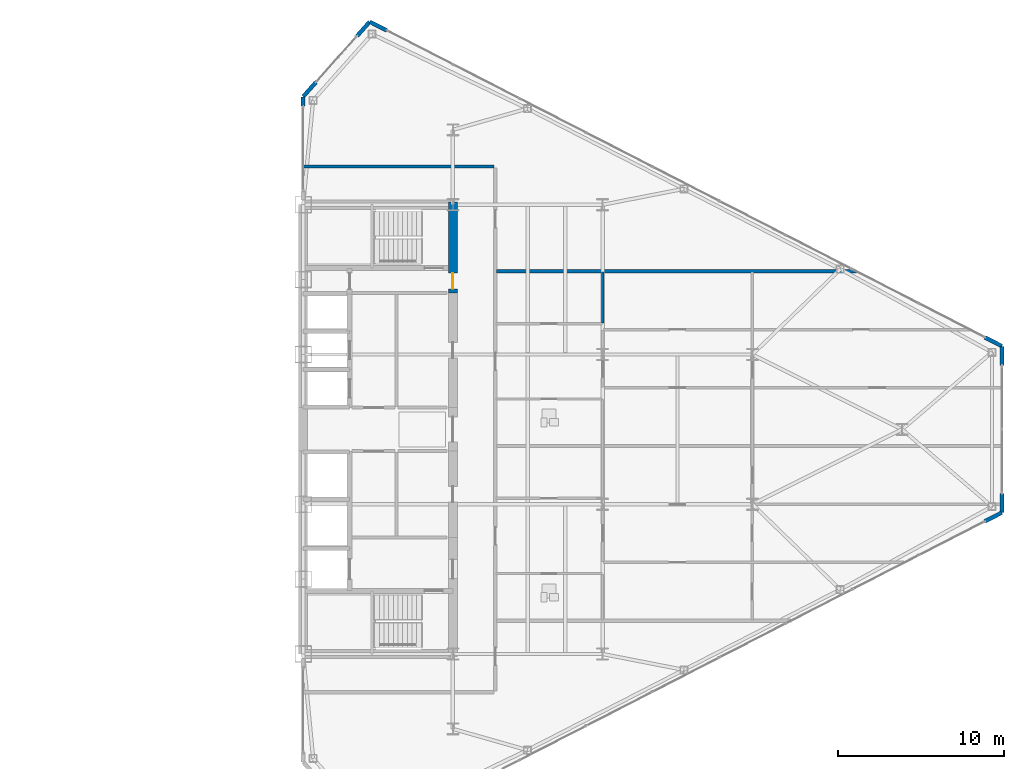
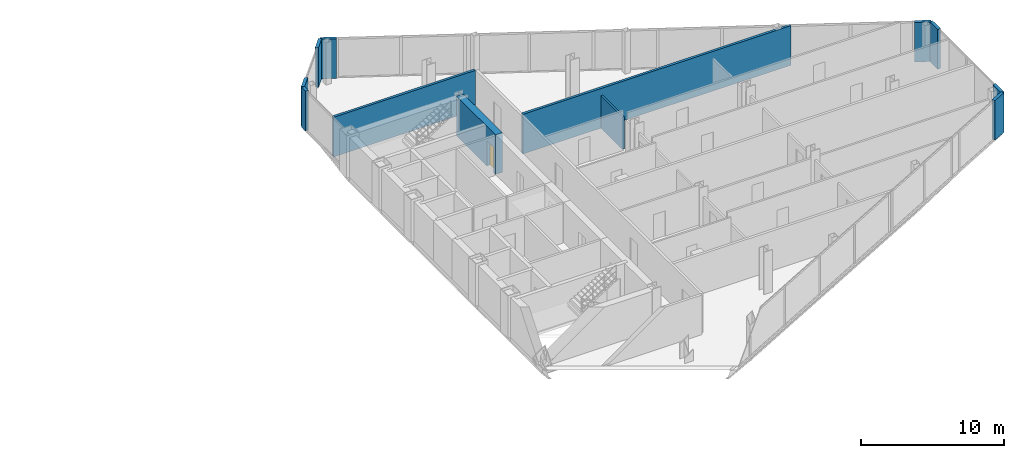
# One storey, part 21 of 24: 12 walls, 1 door, 1 opening.
"""IFC4 building model written with IfcOpenShell, lengths in metres."""

import ifcopenshell
import ifcopenshell.guid

model = None  # the IFC model being written
_history = None  # IfcOwnerHistory: only IFC2X3 demands one
_inside = {}  # id of a spatial element -> (the spatial element, [elements in it])
_under = {}  # id of a project, library or spatial element -> (it, [spatial elements below it])
_declared = {}  # id of a project -> (the project, [libraries it declares])
_typed = {}  # id of a type object -> (the type object, [elements of that type])
_made_of = {}  # id of a material, layer set ... -> (it, [elements and type objects made of it])


def new_model(schema):
    """Start an empty IFC model of exactly this schema.

    Asked for "IFC4X3", IfcOpenShell would pick the latest addendum, in which some entities
    have other attributes; the version numbers below select the first issue.
    IFC2X3 requires an IfcOwnerHistory on every rooted entity: one is made here for all.
    """
    global model, _history
    if schema == "IFC4X3":
        model = ifcopenshell.file(schema_version=(4, 3, 0, 0))
    else:
        model = ifcopenshell.file(schema=schema)
    _inside.clear()
    _under.clear()
    _declared.clear()
    _typed.clear()
    _made_of.clear()
    _history = None
    if model.schema == "IFC2X3":
        org = make("IfcOrganization", Name="unknown")
        user = make(
            "IfcPersonAndOrganization",
            ThePerson=make("IfcPerson", FamilyName="unknown"),
            TheOrganization=org,
        )
        app = make(
            "IfcApplication",
            ApplicationDeveloper=org,
            Version="unknown",
            ApplicationFullName="unknown",
            ApplicationIdentifier="unknown",
        )
        _history = make(
            "IfcOwnerHistory",
            OwningUser=user,
            OwningApplication=app,
            ChangeAction="ADDED",
            CreationDate=0,
        )
    return model


def make(cls, **values):
    """One entity of the class cls with the attributes given. An attribute that is None is left unset."""
    return model.create_entity(
        cls, **{name: value for name, value in values.items() if value is not None}
    )


def rooted(cls, **values):
    """An entity with a GlobalId (a new one), such as an element, a storey or a relation."""
    return make(cls, GlobalId=ifcopenshell.guid.new(), OwnerHistory=_history, **values)


def si_unit(unit_type, name, prefix=None):
    """IfcSIUnit, for example si_unit("LENGTHUNIT", "METRE", prefix="MILLI")."""
    return make("IfcSIUnit", UnitType=unit_type, Prefix=prefix, Name=name)


def assignment(units):
    """IfcUnitAssignment: the units of a project."""
    return None if units is None else make("IfcUnitAssignment", Units=units)


def point(xyz):
    """IfcCartesianPoint."""
    return None if xyz is None else make("IfcCartesianPoint", Coordinates=xyz)


def direction(xyz):
    """IfcDirection."""
    return None if xyz is None else make("IfcDirection", DirectionRatios=xyz)


def frame(location, z_axis=None, x_axis=None):
    """IfcAxis2Placement3D, a coordinate frame: its origin and axes. An axis left out is left unset."""
    return make(
        "IfcAxis2Placement3D",
        Location=point(location),
        Axis=direction(z_axis),
        RefDirection=direction(x_axis),
    )


def frame_2d(location, x_axis=None):
    """IfcAxis2Placement2D, a coordinate frame in the plane: its origin and x axis."""
    return make(
        "IfcAxis2Placement2D", Location=point(location), RefDirection=direction(x_axis)
    )


def origin():
    """The frame at (0, 0, 0) with its axes left unset."""
    return frame((0.0, 0.0, 0.0))


def place(relative_to, where):
    """IfcLocalPlacement: puts the frame where relative to a parent placement (None: the world)."""
    return make(
        "IfcLocalPlacement", PlacementRelTo=relative_to, RelativePlacement=where
    )


def context(
    kind, dimensions, precision=None, world=None, true_north=None, identifier=None
):
    """IfcGeometricRepresentationContext, for example the 3D "Model" context."""
    return make(
        "IfcGeometricRepresentationContext",
        ContextIdentifier=identifier,
        ContextType=kind,
        CoordinateSpaceDimension=dimensions,
        Precision=precision,
        WorldCoordinateSystem=world,
        TrueNorth=true_north,
    )


def subcontext(parent, identifier, kind, view, scale=None):
    """IfcGeometricRepresentationSubContext, for example "Body" below "Model"."""
    return make(
        "IfcGeometricRepresentationSubContext",
        ContextIdentifier=identifier,
        ContextType=kind,
        ParentContext=parent,
        TargetScale=scale,
        TargetView=view,
    )


def project(units=None, contexts=None):
    """IfcProject with its units and contexts."""
    return rooted(
        "IfcProject",
        Name="project",
        RepresentationContexts=contexts,
        UnitsInContext=assignment(units),
    )


def spatial(cls, under=None, at=None, **own):
    """A site, building, storey or space (cls), placed at a placement, below another one or the project."""
    s = rooted(cls, ObjectPlacement=at, **own)
    if under is not None:
        _under.setdefault(under.id(), (under, []))[1].append(s)
    return s


def profile(cls, at=None, kind="AREA", **sizes):
    """A parametric profile (cls). Its sizes go by their IFC names, for example OverallWidth=200.0."""
    return make(cls, ProfileType=kind, Position=at, **sizes)


def rectangle(**sizes):
    """IfcRectangleProfileDef."""
    return profile("IfcRectangleProfileDef", **sizes)


def extrude(swept, where, along, depth):
    """IfcExtrudedAreaSolid: the profile swept, set in the frame where, extruded along a direction by depth."""
    return make(
        "IfcExtrudedAreaSolid",
        SweptArea=swept,
        Position=where,
        ExtrudedDirection=direction(along),
        Depth=depth,
    )


def shape(context_of_items, identifier, shape_type, items):
    """IfcShapeRepresentation: the items that make up one representation, for example the "Body"."""
    return make(
        "IfcShapeRepresentation",
        ContextOfItems=context_of_items,
        RepresentationIdentifier=identifier,
        RepresentationType=shape_type,
        Items=items,
    )


def source(mapping_origin, context_of_items, identifier, shape_type, items):
    """IfcRepresentationMap: a shape defined once, which mapped items show again and again."""
    return make(
        "IfcRepresentationMap",
        MappingOrigin=mapping_origin,
        MappedRepresentation=shape(context_of_items, identifier, shape_type, items),
    )


def transform(
    local_origin,
    x_axis=None,
    y_axis=None,
    z_axis=None,
    scale=None,
    scale2=None,
    scale3=None,
    uniform=True,
):
    """IfcCartesianTransformationOperator3D, or its non-uniform kind. x_axis, y_axis, z_axis: its Axis1, 2, 3."""
    if uniform:
        return make(
            "IfcCartesianTransformationOperator3D",
            Axis1=direction(x_axis),
            Axis2=direction(y_axis),
            LocalOrigin=point(local_origin),
            Scale=scale,
            Axis3=direction(z_axis),
        )
    return make(
        "IfcCartesianTransformationOperator3DnonUniform",
        Axis1=direction(x_axis),
        Axis2=direction(y_axis),
        LocalOrigin=point(local_origin),
        Scale=scale,
        Axis3=direction(z_axis),
        Scale2=scale2,
        Scale3=scale3,
    )


def mapped(mapping_source, mapping_target):
    """IfcMappedItem: shows the shape of a source again, moved by a transform."""
    return make(
        "IfcMappedItem", MappingSource=mapping_source, MappingTarget=mapping_target
    )


def material(Name=None, Category=None):
    """IfcMaterial."""
    return make("IfcMaterial", Name=Name, Category=Category)


def layer(
    of_material, thickness, ventilated=None, Name=None, Category=None, Priority=None
):
    """IfcMaterialLayer: one layer of a wall or slab, of a material (None: an air gap)."""
    return make(
        "IfcMaterialLayer",
        Material=of_material,
        LayerThickness=thickness,
        IsVentilated=ventilated,
        Name=Name,
        Category=Category,
        Priority=Priority,
    )


def layer_set(layers, Name=None):
    """IfcMaterialLayerSet."""
    return make("IfcMaterialLayerSet", MaterialLayers=layers, LayerSetName=Name)


def made_of(thing, what):
    """Note that an element or type object is made of a material, layer set ...; save() writes the relation."""
    if what is not None:
        _made_of.setdefault(what.id(), (what, []))[1].append(thing)
    return thing


def type_object(cls, material=None, **own):
    """A type object (cls), such as IfcWallType, which elements share."""
    return made_of(rooted(cls, **own), material)


def type_shapes(of_type, sources):
    """Give a type object the sources (RepresentationMaps) that its elements show as mapped items."""
    of_type.RepresentationMaps = sources


def element(
    cls,
    number,
    at=None,
    inside=None,
    cuts=None,
    type_object=None,
    material=None,
    context=None,
    identifier="Body",
    shape_type=None,
    held_by="IfcProductDefinitionShape",
    body=None,
    shapes=None,
    **own,
):
    """One element of the class cls, such as IfcWall. Its Tag is "e" and its number.

    at: its placement. inside: the storey or other place that contains it. cuts: it is an
    opening in that element (IfcRelVoidsElement). A single representation is given by context,
    identifier, shape_type and body (its items); several are given by shapes. held_by: the class
    of the entity that holds the representations. save() writes the other relations.
    """
    e = rooted(cls, Tag="e%d" % number, ObjectPlacement=at, **own)
    if body is not None:
        shapes = [shape(context, identifier, shape_type, body)]
    if shapes is not None:
        e.Representation = make(held_by, Representations=shapes)
    if inside is not None:
        _inside.setdefault(inside.id(), (inside, []))[1].append(e)
    if cuts is not None:
        rooted(
            "IfcRelVoidsElement", RelatingBuildingElement=cuts, RelatedOpeningElement=e
        )
    if type_object is not None:
        _typed.setdefault(type_object.id(), (type_object, []))[1].append(e)
    return made_of(e, material)


def fill(opening, filler):
    """IfcRelFillsElement: the door or window that sits in an opening."""
    return rooted(
        "IfcRelFillsElement",
        RelatingOpeningElement=opening,
        RelatedBuildingElement=filler,
    )


def aggregate(whole, parts):
    """IfcRelAggregates: a whole, such as a stair, and the parts it consists of."""
    return rooted("IfcRelAggregates", RelatingObject=whole, RelatedObjects=parts)


def save(model, path):
    """Write the relations noted so far, then the file.

    IfcRelAggregates (storeys below a building ...), IfcRelContainedInSpatialStructure (elements
    in a storey), IfcRelDefinesByType, IfcRelAssociatesMaterial and IfcRelDeclares: one each for
    every whole, place, type object, material and project.
    """
    for whole, parts in _under.values():
        aggregate(whole, parts)
    for where, things in _inside.values():
        rooted(
            "IfcRelContainedInSpatialStructure",
            RelatedElements=things,
            RelatingStructure=where,
        )
    for kind, things in _typed.values():
        rooted("IfcRelDefinesByType", RelatedObjects=things, RelatingType=kind)
    for what, things in _made_of.values():
        rooted("IfcRelAssociatesMaterial", RelatedObjects=things, RelatingMaterial=what)
    for by, libraries in _declared.values():
        rooted("IfcRelDeclares", RelatingContext=by, RelatedDefinitions=libraries)
    model.write(path)


model = new_model("IFC4")

# Units and contexts
model_context = context("Model", 3, precision=1e-05, world=origin(), true_north=direction((0.0, 1.0)))
body_context = subcontext(model_context, "Body", "Model", "MODEL_VIEW")
ifc_project = project(units=[si_unit("LENGTHUNIT", "METRE"), si_unit("AREAUNIT", "SQUARE_METRE"), si_unit("VOLUMEUNIT", "CUBIC_METRE"), si_unit("PLANEANGLEUNIT", "RADIAN"), si_unit("MASSUNIT", "GRAM", prefix="KILO")], contexts=[model_context])

# Site, building, storey
site_placement = place(None, origin())
site = spatial("IfcSite", under=ifc_project, at=site_placement, CompositionType="ELEMENT")
building_placement = place(site_placement, origin())
building = spatial("IfcBuilding", under=site, at=building_placement, Name="Seokmaru Belvedere", CompositionType="ELEMENT")
storey_placement = place(building_placement, frame((0.0, 0.0, 140.39990234375)))
storey = spatial("IfcBuildingStorey", under=building, at=storey_placement, Name="L37", CompositionType="ELEMENT", Elevation=140.39990234375)

# Walls
ifc_material_1 = material(Name="Fire-Rated Gypsum Shaftwall")
ifc_layer_1 = layer(ifc_material_1, 0.14990234375)
ifc_layer_set_1 = layer_set([ifc_layer_1], Name="Fire-Rated Gypsum Shaftwall")
wall_type_1 = type_object("IfcWallType", Name="Apartment Fire-Acoustic Room Partition 150", PredefinedType="PARTITIONING", material=ifc_layer_set_1)
wall_1_placement = place(storey_placement, frame((45.5, 6.402099609375, 0.0), z_axis=(0.0, 0.0, 1.0), x_axis=(0.0, 1.0, 0.0)))
element("IfcWall", 1, at=wall_1_placement, inside=storey, type_object=wall_type_1, Name="L37 Interior Partition 048", PredefinedType="PARTITIONING", context=body_context, shape_type="SweptSolid", body=[
    extrude(rectangle(XDim=3.0478515625, YDim=0.14990234375, at=frame_2d((1.52392578125, 0.0))), origin(), (0.0, 0.0, 1.0), 2.780029296875),
])
ifc_layer_2 = layer(ifc_material_1, 0.199951171875)
ifc_layer_set_2 = layer_set([ifc_layer_2], Name="Fire-Rated Gypsum Shaftwall")
wall_type_2 = type_object("IfcWallType", Name="Inter-Tenancy Fire Compartment Partition 200", PredefinedType="PARTITIONING", material=ifc_layer_set_2)
wall_2_placement = place(storey_placement, frame((39.1298828125, 9.5, 0.0), z_axis=(0.0, 0.0, 1.0), x_axis=(1.0, 0.0, 0.0)))
element("IfcWall", 2, at=wall_2_placement, inside=storey, type_object=wall_type_2, Name="L37 Interior Partition 026", PredefinedType="PARTITIONING", context=body_context, shape_type="SweptSolid", body=[
    extrude(rectangle(XDim=21.612060546875, YDim=0.199951171875, at=frame_2d((10.80615234375, 0.0))), origin(), (0.0, 0.0, 1.0), 3.380126953125),
])
wall_3_placement = place(storey_placement, frame((27.5, 15.800048828125, 0.0), z_axis=(0.0, 0.0, 1.0), x_axis=(1.0, 0.0, 0.0)))
element("IfcWall", 3, at=wall_3_placement, inside=storey, type_object=wall_type_2, Name="L37 Interior Partition 031", PredefinedType="PARTITIONING", context=body_context, shape_type="SweptSolid", body=[
    extrude(rectangle(XDim=11.465087890625, YDim=0.199951171875, at=frame_2d((5.732421875, 0.0))), origin(), (0.0, 0.0, 1.0), 3.380126953125),
])

# Wall, opening, door
ifc_material_2 = material(Name="Concrete C50 (50 MPa)", Category="concrete")
ifc_layer_3 = layer(ifc_material_2, 0.550048828125)
ifc_layer_set_3 = layer_set([ifc_layer_3], Name="Concrete C50 (50 MPa)")
wall_type_3 = type_object("IfcWallType", Name="Mid-High Reinforced Concrete Core Wall 550", PredefinedType="SHEAR", material=ifc_layer_set_3)
wall_4_placement = place(storey_placement, frame((36.5, 8.199951171875, 0.0), z_axis=(0.0, 0.0, 1.0), x_axis=(0.0, 1.0, 0.0)))
wall_4 = element("IfcWall", 4, at=wall_4_placement, inside=storey, type_object=wall_type_3, Name="L37 East West Core Wall VST", PredefinedType="SHEAR", context=body_context, shape_type="SweptSolid", body=[
    extrude(rectangle(XDim=5.449951171875, YDim=0.550048828125, at=frame_2d((2.72509765625, 0.0))), origin(), (0.0, 0.0, 1.0), 3.380126953125),
])
opening_placement = place(wall_4_placement, frame((0.2451171875, 0.0, 0.0)))
opening = element("IfcOpeningElement", 5, at=opening_placement, cuts=wall_4, Name="Opening D04", PredefinedType="OPENING", context=body_context, shape_type="SweptSolid", body=[
    extrude(rectangle(XDim=0.949951171875, YDim=2.14990234375, at=frame_2d((0.47509765625, 1.074951171875))), frame((0.0, 0.28515625, 0.0), z_axis=(0.0, -1.0, 0.0), x_axis=(1.0, 0.0, 0.0)), (0.0, 0.0, 1.0), 0.570068359375),
])
ifc_material_3 = material(Name="Fire-Rated Steel Leaf", Category="steel")
door_type = type_object("IfcDoorType", Name="Core Service Room Fire Door 950x2150", OperationType="NOTDEFINED", PredefinedType="DOOR", material=ifc_material_3)
shared_shape = source(origin(), body_context, "Body", "SweptSolid", [
    extrude(rectangle(XDim=0.949951171875, YDim=2.14990234375, at=frame_2d((0.47509765625, 1.074951171875))), frame((0.0, 0.02490234375, 0.0), z_axis=(0.0, -1.0, 0.0), x_axis=(1.0, 0.0, 0.0)), (0.0, 0.0, 1.0), 0.050048828125),
])
type_shapes(door_type, [shared_shape])
door_placement = place(opening_placement, origin())
door = element("IfcDoor", 6, at=door_placement, inside=storey, type_object=door_type, Name="L37 East Smokeproof Vestibule Door", OperationType="SINGLE_SWING_LEFT", OverallHeight=2.14990234375, OverallWidth=0.949951171875, PredefinedType="DOOR", context=body_context, shape_type="MappedRepresentation", body=[
    mapped(shared_shape, transform((0.0, 0.0, 0.0), scale=1.0)),
])
fill(opening, door)

# Walls
ifc_material_4 = material(Name="Anodised Bronze Aluminium", Category="aluminium")
ifc_layer_4 = layer(ifc_material_4, 0.239990234375)
ifc_layer_set_4 = layer_set([ifc_layer_4], Name="Anodised Bronze Aluminium")
wall_type_4 = type_object("IfcWallType", Name="Tower Corner Spandrel Closure Wall 240", PredefinedType="SOLIDWALL", material=ifc_layer_set_4)
wall_5_placement = place(storey_placement, frame((68.476806640625, -5.52490234375, 0.0), z_axis=(0.0, 0.0, 1.0), x_axis=(0.889797395748, 0.456355776255, 0.0)))
element("IfcWall", 7, at=wall_5_placement, inside=storey, type_object=wall_type_4, Name="L37 E Corner Closure Pier 1B", PredefinedType="SOLIDWALL", context=body_context, shape_type="SweptSolid", body=[
    extrude(rectangle(XDim=1.14013671875, YDim=0.239990234375, at=frame_2d((0.570068359375, 0.0))), origin(), (0.0, 0.0, 1.0), 3.380126953125),
])
for number, where, z_axis, x_axis, name in (
    (8, (69.5, -4.989990234375, 0.0), (0.0, 0.0, 1.0), (0.0, 1.0, 0.0), "L37 E Corner Closure Pier 2A"),
    (9, (69.5, 3.85009765625, 0.0), (0.0, 0.0, 1.0), (0.0, 1.0, 0.0), "L37 E Corner Closure Pier 2B"),
):
    element("IfcWall", number, at=place(storey_placement, frame(where, z_axis=z_axis, x_axis=x_axis)), inside=storey, type_object=wall_type_4, Name=name, PredefinedType="SOLIDWALL", context=body_context, shape_type="SweptSolid", body=[
        extrude(rectangle(XDim=1.139892578125, YDim=0.239990234375, at=frame_2d((0.56982421875, 0.0))), origin(), (0.0, 0.0, 1.0), 3.380126953125),
    ])
for number, where, z_axis, x_axis, name in (
    (10, (69.4912109375, 5.004638671875, 0.0), (0.0, 0.0, 1.0), (-0.889797395748, 0.456355776255, 0.0), "L37 E Corner Closure Pier 3A"),
    (11, (32.523193359375, 23.97509765625, 0.0), (0.0, 0.0, 1.0), (-0.889797395748, 0.456355776255, 0.0), "L37 E Corner Closure Pier 3B"),
):
    element("IfcWall", number, at=place(storey_placement, frame(where, z_axis=z_axis, x_axis=x_axis)), inside=storey, type_object=wall_type_4, Name=name, PredefinedType="SOLIDWALL", context=body_context, shape_type="SweptSolid", body=[
        extrude(rectangle(XDim=1.14013671875, YDim=0.239990234375, at=frame_2d((0.570068359375, 0.0))), origin(), (0.0, 0.0, 1.0), 3.380126953125),
    ])
for number, where, z_axis, x_axis, name in (
    (12, (31.493408203125, 24.492431640625, 0.0), (0.0, 0.0, 1.0), (-0.664337252513, -0.747432950119, 0.0), "L37 E Corner Closure Pier 4A"),
    (13, (28.263916015625, 20.859619140625, 0.0), (0.0, 0.0, 1.0), (-0.664337252513, -0.747432950119, 0.0), "L37 E Corner Closure Pier 4B"),
):
    element("IfcWall", number, at=place(storey_placement, frame(where, z_axis=z_axis, x_axis=x_axis)), inside=storey, type_object=wall_type_4, Name=name, PredefinedType="SOLIDWALL", context=body_context, shape_type="SweptSolid", body=[
        extrude(rectangle(XDim=1.139892578125, YDim=0.239990234375, at=frame_2d((0.56982421875, 0.0))), origin(), (0.0, 0.0, 1.0), 3.380126953125),
    ])
wall_6_placement = place(storey_placement, frame((27.5, 19.429931640625, 0.0), z_axis=(0.0, 0.0, 1.0), x_axis=(0.0, 1.0, 0.0)))
element("IfcWall", 14, at=wall_6_placement, inside=storey, type_object=wall_type_4, Name="L37 E Spine Closure Pier 2B", PredefinedType="SOLIDWALL", context=body_context, shape_type="SweptSolid", body=[
    extrude(rectangle(XDim=0.550048828125, YDim=0.239990234375, at=frame_2d((0.27490234375, 0.0))), origin(), (0.0, 0.0, 1.0), 3.380126953125),
])

save(model, "model.ifc")
